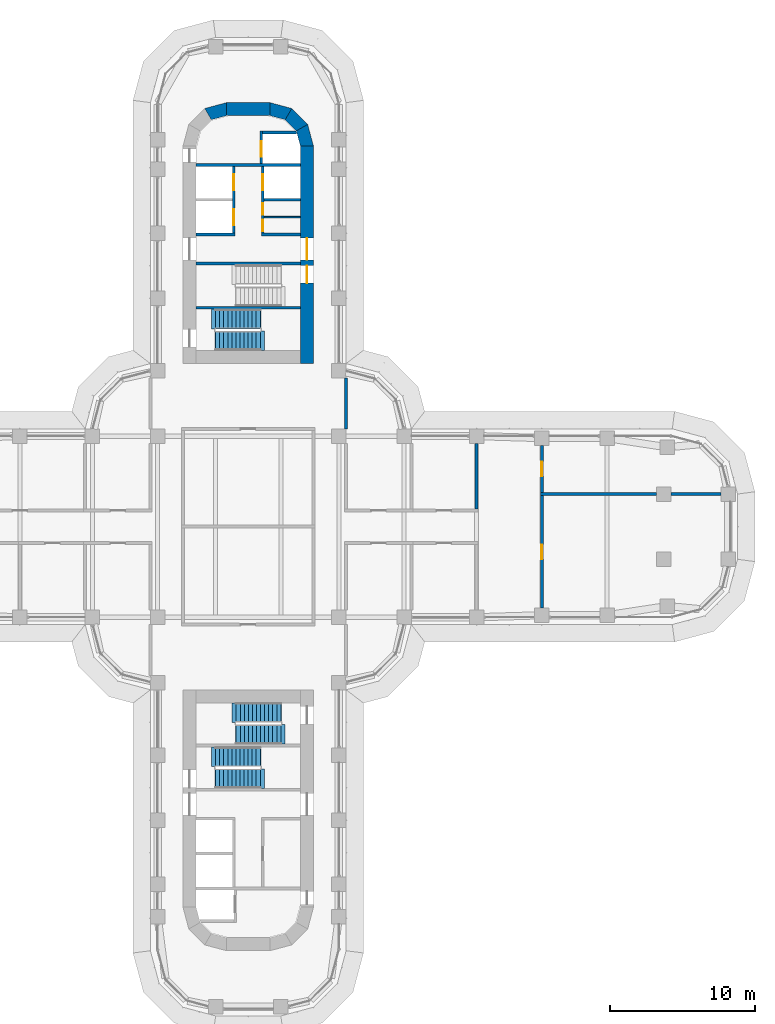
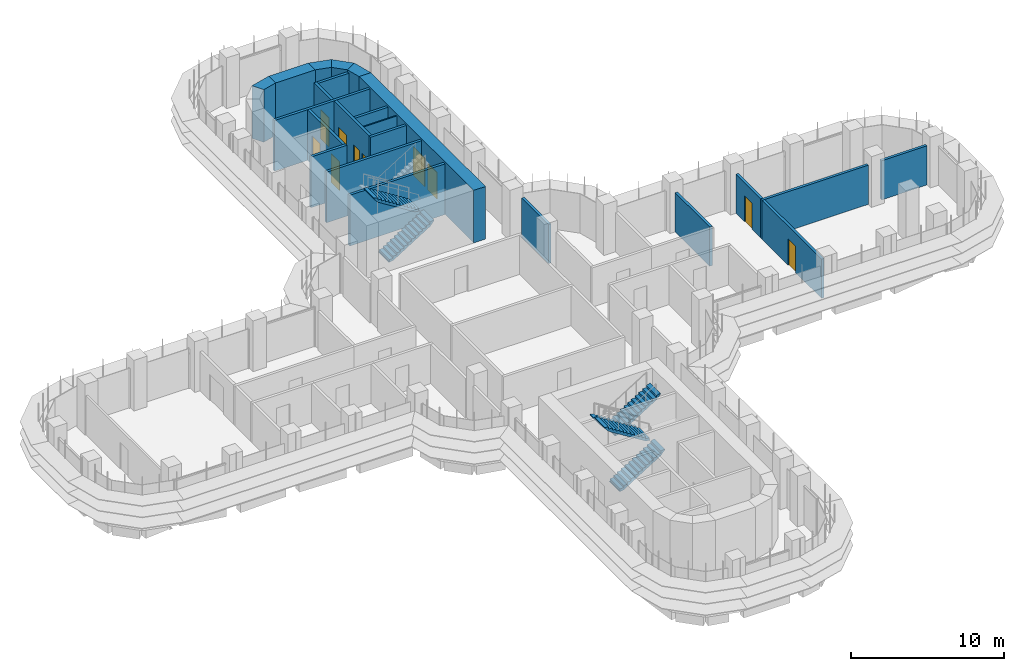
# One storey, part 18 of 23: 23 walls, 10 doors, 6 stair flights, 10 openings, 3 elements without a shape of their own.
"""IFC4 building model written with IfcOpenShell, lengths in metres."""

from ifc_helpers import new_model, si_unit, direction, frame, frame_2d, origin, place, context, subcontext, project, spatial, polyline, rectangle, outline, extrude, material, layer, layer_set, type_object, element, fill, aggregate, save


model = new_model("IFC4")

# Units and contexts
model_context = context("Model", 3, precision=1e-05, world=origin(), true_north=direction((0.0, 1.0)))
body_context = subcontext(model_context, "Body", "Model", "MODEL_VIEW")
ifc_project = project(units=[si_unit("LENGTHUNIT", "METRE"), si_unit("AREAUNIT", "SQUARE_METRE"), si_unit("VOLUMEUNIT", "CUBIC_METRE"), si_unit("PLANEANGLEUNIT", "RADIAN"), si_unit("MASSUNIT", "GRAM", prefix="KILO")], contexts=[model_context])

# Site, building, storey
site_placement = place(None, origin())
site = spatial("IfcSite", under=ifc_project, at=site_placement, CompositionType="ELEMENT")
building_placement = place(site_placement, origin())
building = spatial("IfcBuilding", under=site, at=building_placement, Name="Zarbagh Exchange Tower", CompositionType="ELEMENT")
storey_placement = place(building_placement, frame((0.0, 0.0, 43.800048828125)))
storey = spatial("IfcBuildingStorey", under=building, at=storey_placement, Name="L09", CompositionType="ELEMENT", Elevation=43.800048828125)

# Walls
ifc_material_1 = material(Name="Dense blockwork", Category="masonry")
ifc_layer_1 = layer(ifc_material_1, 0.10009765625)
ifc_layer_set_1 = layer_set([ifc_layer_1], Name="Core partition 100 mm blockwork")
wall_type_1 = type_object("IfcWallType", Name="Core partition 100 mm blockwork", PredefinedType="PARTITIONING", material=ifc_layer_set_1)
wall_1_placement = place(storey_placement, frame((1.10009765625, 21.35009765625, 0.0), z_axis=(0.0, 0.0, 1.0), x_axis=(1.0, 0.0, 0.0)))
element("IfcWall", 1, at=wall_1_placement, inside=storey, type_object=wall_type_1, Name="North core partition wall CUT-E-700", PredefinedType="PARTITIONING", context=body_context, shape_type="SweptSolid", body=[
    extrude(rectangle(XDim=2.5, YDim=0.10009765625, at=frame_2d((1.25, 0.0))), origin(), (0.0, 0.0, 1.0), 4.050048828125),
])
ifc_material_2 = material(Name="Fire-rated plasterboard partition")
ifc_layer_2 = layer(ifc_material_2, 0.199951171875)
ifc_layer_set_2 = layer_set([ifc_layer_2], Name="RATED PARTITION 200")
wall_type_2 = type_object("IfcWallType", Name="RATED PARTITION 200", PredefinedType="PARTITIONING", material=ifc_layer_set_2)
wall_2_placement = place(storey_placement, frame((6.75, 6.75, 0.0), z_axis=(0.0, 0.0, 1.0), x_axis=(0.0, 1.0, 0.0)))
element("IfcWall", 2, at=wall_2_placement, inside=storey, type_object=wall_type_2, Name="Partition W-310", PredefinedType="PARTITIONING", context=body_context, shape_type="SweptSolid", body=[
    extrude(rectangle(XDim=3.5, YDim=0.199951171875, at=frame_2d((1.75, 0.0))), origin(), (0.0, 0.0, 1.0), 3.13037109375),
])
wall_3_placement = place(storey_placement, frame((15.75, 1.22509765625, 0.0), z_axis=(0.0, 0.0, 1.0), x_axis=(0.0, 1.0, 0.0)))
element("IfcWall", 3, at=wall_3_placement, inside=storey, type_object=wall_type_2, Name="Partition W-322", PredefinedType="PARTITIONING", context=body_context, shape_type="SweptSolid", body=[
    extrude(rectangle(XDim=4.52490234375, YDim=0.199951171875, at=frame_2d((2.262451171875, 0.0))), origin(), (0.0, 0.0, 1.0), 3.13037109375),
])

# Wall, opening, door
wall_4_placement = place(storey_placement, frame((20.25, 2.14990234375, 0.0), z_axis=(0.0, 0.0, 1.0), x_axis=(0.0, -1.0, 0.0)))
wall_4 = element("IfcWall", 4, at=wall_4_placement, inside=storey, type_object=wall_type_2, Name="Partition W-324", PredefinedType="PARTITIONING", context=body_context, shape_type="SweptSolid", body=[
    extrude(rectangle(XDim=7.760009765625, YDim=0.199951171875, at=frame_2d((3.8798828125, 0.0))), origin(), (0.0, 0.0, 1.0), 3.13037109375),
])
opening_1_placement = place(wall_4_placement, frame((3.3798828125, 0.0, 0.0)))
opening_1 = element("IfcOpeningElement", 5, at=opening_1_placement, cuts=wall_4, Name="Opening D-307", PredefinedType="OPENING", context=body_context, shape_type="SweptSolid", body=[
    extrude(rectangle(XDim=1.0, YDim=2.10009765625, at=frame_2d((0.5, 1.050048828125))), frame((0.0, 0.10986328125, 0.0), z_axis=(0.0, -1.0, 0.0), x_axis=(1.0, 0.0, 0.0)), (0.0, 0.0, 1.0), 0.219970703125),
])
ifc_material_3 = material(Name="Steel door set", Category="steel")
door_type_1 = type_object("IfcDoorType", Name="FIRE DOOR 1000 X 2100 FD30S", OperationType="NOTDEFINED", PredefinedType="DOOR", material=ifc_material_3)
door_1_placement = place(opening_1_placement, origin())
door_1 = element("IfcDoor", 6, at=door_1_placement, inside=storey, type_object=door_type_1, Name="Door D-307", OperationType="SINGLE_SWING_RIGHT", OverallHeight=2.10009765625, OverallWidth=1.0, PredefinedType="DOOR", context=body_context, shape_type="SweptSolid", body=[
    extrude(rectangle(XDim=1.0, YDim=2.10009765625, at=frame_2d((0.5, 1.050048828125))), frame((0.0, 0.02490234375, 0.0), z_axis=(0.0, -1.0, 0.0), x_axis=(1.0, 0.0, 0.0)), (0.0, 0.0, 1.0), 0.050048828125),
])
fill(opening_1, door_1)

wall_5_placement = place(storey_placement, frame((20.25, 5.610107421875, 0.0), z_axis=(0.0, 0.0, 1.0), x_axis=(0.0, -1.0, 0.0)))
wall_5 = element("IfcWall", 7, at=wall_5_placement, inside=storey, type_object=wall_type_2, Name="Partition W-325", PredefinedType="PARTITIONING", context=body_context, shape_type="SweptSolid", body=[
    extrude(rectangle(XDim=3.260009765625, YDim=0.199951171875, at=frame_2d((1.6298828125, 0.0))), origin(), (0.0, 0.0, 1.0), 3.13037109375),
])
opening_2_placement = place(wall_5_placement, frame((1.1298828125, 0.0, 0.0)))
opening_2 = element("IfcOpeningElement", 8, at=opening_2_placement, cuts=wall_5, Name="Opening D-308", PredefinedType="OPENING", context=body_context, shape_type="SweptSolid", body=[
    extrude(rectangle(XDim=1.0, YDim=2.10009765625, at=frame_2d((0.5, 1.050048828125))), frame((0.0, 0.10986328125, 0.0), z_axis=(0.0, -1.0, 0.0), x_axis=(1.0, 0.0, 0.0)), (0.0, 0.0, 1.0), 0.219970703125),
])
door_2_placement = place(opening_2_placement, origin())
door_2 = element("IfcDoor", 9, at=door_2_placement, inside=storey, type_object=door_type_1, Name="Door D-308", OperationType="SINGLE_SWING_LEFT", OverallHeight=2.10009765625, OverallWidth=1.0, PredefinedType="DOOR", context=body_context, shape_type="SweptSolid", body=[
    extrude(rectangle(XDim=1.0, YDim=2.10009765625, at=frame_2d((0.5, 1.050048828125))), frame((0.0, 0.02490234375, 0.0), z_axis=(0.0, -1.0, 0.0), x_axis=(1.0, 0.0, 0.0)), (0.0, 0.0, 1.0), 0.050048828125),
])
fill(opening_2, door_2)

# Walls
wall_6_placement = place(storey_placement, frame((20.14990234375, 2.25, 0.0), z_axis=(0.0, 0.0, 1.0), x_axis=(1.0, 0.0, 0.0)))
element("IfcWall", 10, at=wall_6_placement, inside=storey, type_object=wall_type_2, Name="Partition W-326", PredefinedType="PARTITIONING", context=body_context, shape_type="SweptSolid", body=[
    extrude(rectangle(XDim=8.02001953125, YDim=0.199951171875, at=frame_2d((4.010009765625, 0.0))), origin(), (0.0, 0.0, 1.0), 3.13037109375),
])
wall_7_placement = place(storey_placement, frame((29.169921875, 2.25, 0.0), z_axis=(0.0, 0.0, 1.0), x_axis=(1.0, 0.0, 0.0)))
element("IfcWall", 11, at=wall_7_placement, inside=storey, type_object=wall_type_2, Name="Partition W-327", PredefinedType="PARTITIONING", context=body_context, shape_type="SweptSolid", body=[
    extrude(rectangle(XDim=3.440185546875, YDim=0.199951171875, at=frame_2d((1.72021484375, 0.0))), origin(), (0.0, 0.0, 1.0), 3.13037109375),
])
ifc_material_4 = material(Name="Concrete C60/75", Category="concrete")
ifc_layer_3 = layer(ifc_material_4, 0.89990234375)
ifc_layer_set_3 = layer_set([ifc_layer_3], Name="RC core corner wall 900 C60/75")
wall_type_3 = type_object("IfcWallType", Name="RC core corner wall 900 C60/75", PredefinedType="SHEAR", material=ifc_layer_set_3)
wall_8_placement = place(storey_placement, origin())
element("IfcWall", 12, at=wall_8_placement, inside=storey, type_object=wall_type_3, Name="CW2 core N corner W", PredefinedType="SHEAR", context=body_context, shape_type="SweptSolid", body=[
    extrude(outline(polyline([(-3.0, 28.84814453125), (-1.5, 29.25), (-1.5, 28.35009765625), (-2.550048828125, 28.068603515625), (-3.0, 28.84814453125)])), origin(), (0.0, 0.0, 1.0), 4.199951171875),
])
wall_9_placement = place(storey_placement, origin())
element("IfcWall", 13, at=wall_9_placement, inside=storey, type_object=wall_type_3, Name="CW2 core N corner E", PredefinedType="SHEAR", context=body_context, shape_type="SweptSolid", body=[
    extrude(outline(polyline([(4.5, 26.25), (4.09814453125, 27.75), (3.318603515625, 27.300048828125), (3.60009765625, 26.25), (4.5, 26.25)])), origin(), (0.0, 0.0, 1.0), 4.199951171875),
])
wall_10_placement = place(storey_placement, origin())
element("IfcWall", 14, at=wall_10_placement, inside=storey, type_object=wall_type_3, Name="CW2 core N corner E", PredefinedType="SHEAR", context=body_context, shape_type="SweptSolid", body=[
    extrude(outline(polyline([(4.09814453125, 27.75), (3.0, 28.84814453125), (2.550048828125, 28.068603515625), (3.318603515625, 27.300048828125), (4.09814453125, 27.75)])), origin(), (0.0, 0.0, 1.0), 4.199951171875),
])
wall_11_placement = place(storey_placement, origin())
element("IfcWall", 15, at=wall_11_placement, inside=storey, type_object=wall_type_3, Name="CW2 core N corner E", PredefinedType="SHEAR", context=body_context, shape_type="SweptSolid", body=[
    extrude(outline(polyline([(3.0, 28.84814453125), (1.5, 29.25), (1.5, 28.35009765625), (2.550048828125, 28.068603515625), (3.0, 28.84814453125)])), origin(), (0.0, 0.0, 1.0), 4.199951171875),
])

# Wall, openings, doors
ifc_layer_4 = layer(ifc_material_4, 0.89990234375)
ifc_layer_set_4 = layer_set([ifc_layer_4], Name="RC core wall 900 C60/75")
wall_type_4 = type_object("IfcWallType", Name="RC core wall 900 C60/75", PredefinedType="SHEAR", material=ifc_layer_set_4)
wall_12_placement = place(storey_placement, frame((4.050048828125, 11.25, 0.0), z_axis=(0.0, 0.0, 1.0), x_axis=(0.0, 1.0, 0.0)))
wall_12 = element("IfcWall", 16, at=wall_12_placement, inside=storey, type_object=wall_type_4, Name="CW1 core N E", PredefinedType="SHEAR", context=body_context, shape_type="SweptSolid", body=[
    extrude(rectangle(XDim=15.0, YDim=0.89990234375, at=frame_2d((7.5, 0.0))), origin(), (0.0, 0.0, 1.0), 4.199951171875),
])
opening_3_placement = place(wall_12_placement, frame((7.14990234375, 0.0, 0.0)))
opening_3 = element("IfcOpeningElement", 17, at=opening_3_placement, cuts=wall_12, Name="Opening CD1-1500", PredefinedType="OPENING", context=body_context, shape_type="SweptSolid", body=[
    extrude(rectangle(XDim=1.5, YDim=2.300048828125, at=frame_2d((0.75, 1.14990234375))), frame((0.0, 0.4599609375, 0.0), z_axis=(0.0, -1.0, 0.0), x_axis=(1.0, 0.0, 0.0)), (0.0, 0.0, 1.0), 0.919921875),
])
opening_4_placement = place(wall_12_placement, frame((5.550048828125, 0.0, 0.0)))
opening_4 = element("IfcOpeningElement", 18, at=opening_4_placement, cuts=wall_12, Name="Opening SD1-1200", PredefinedType="OPENING", context=body_context, shape_type="SweptSolid", body=[
    extrude(rectangle(XDim=1.199951171875, YDim=2.10009765625, at=frame_2d((0.60009765625, 1.050048828125))), frame((0.0, 0.4599609375, 0.0), z_axis=(0.0, -1.0, 0.0), x_axis=(1.0, 0.0, 0.0)), (0.0, 0.0, 1.0), 0.919921875),
])
ifc_material_5 = material(Name="Steel", Category="steel")
door_type_2 = type_object("IfcDoorType", Name="Exit stair door 1200 x 2100", OperationType="NOTDEFINED", PredefinedType="DOOR", material=ifc_material_5)
door_3_placement = place(opening_4_placement, origin())
door_3 = element("IfcDoor", 19, at=door_3_placement, inside=storey, type_object=door_type_2, Name="North core stair door ST1", OperationType="SINGLE_SWING_RIGHT", OverallHeight=2.10009765625, OverallWidth=1.199951171875, PredefinedType="DOOR", context=body_context, shape_type="SweptSolid", body=[
    extrude(rectangle(XDim=1.199951171875, YDim=2.10009765625, at=frame_2d((0.60009765625, 1.050048828125))), frame((0.0, 0.02490234375, 0.0), z_axis=(0.0, -1.0, 0.0), x_axis=(1.0, 0.0, 0.0)), (0.0, 0.0, 1.0), 0.050048828125),
])
fill(opening_4, door_3)
door_type_3 = type_object("IfcDoorType", Name="Lift lobby double door 1500 x 2300", OperationType="NOTDEFINED", PredefinedType="DOOR", material=ifc_material_5)
door_4_placement = place(opening_3_placement, origin())
door_4 = element("IfcDoor", 20, at=door_4_placement, inside=storey, type_object=door_type_3, Name="North core lift lobby door LOBBY-E", OperationType="DOUBLE_DOOR_SINGLE_SWING", OverallHeight=2.300048828125, OverallWidth=1.5, PredefinedType="DOOR", context=body_context, shape_type="SweptSolid", body=[
    extrude(rectangle(XDim=1.5, YDim=2.300048828125, at=frame_2d((0.75, 1.14990234375))), frame((0.0, 0.02490234375, 0.0), z_axis=(0.0, -1.0, 0.0), x_axis=(1.0, 0.0, 0.0)), (0.0, 0.0, 1.0), 0.050048828125),
])
fill(opening_3, door_4)

# Walls
wall_13_placement = place(storey_placement, frame((-1.5, 28.800048828125, 0.0), z_axis=(0.0, 0.0, 1.0), x_axis=(1.0, 0.0, 0.0)))
element("IfcWall", 21, at=wall_13_placement, inside=storey, type_object=wall_type_4, Name="CW1 core N outer end", PredefinedType="SHEAR", context=body_context, shape_type="SweptSolid", body=[
    extrude(rectangle(XDim=3.0, YDim=0.89990234375, at=frame_2d((1.5, 0.0))), origin(), (0.0, 0.0, 1.0), 4.199951171875),
])
ifc_layer_5 = layer(ifc_material_1, 0.199951171875)
ifc_layer_set_5 = layer_set([ifc_layer_5], Name="Shaft wall 200 mm blockwork")
wall_type_5 = type_object("IfcWallType", Name="Shaft wall 200 mm blockwork", PredefinedType="PARTITIONING", material=ifc_layer_set_5)
wall_14_placement = place(storey_placement, frame((-3.60009765625, 20.14990234375, 0.0), z_axis=(0.0, 0.0, 1.0), x_axis=(1.0, 0.0, 0.0)))
element("IfcWall", 22, at=wall_14_placement, inside=storey, type_object=wall_type_5, Name="North core shaft wall AB-W", PredefinedType="PARTITIONING", context=body_context, shape_type="SweptSolid", body=[
    extrude(rectangle(XDim=2.7001953125, YDim=0.199951171875, at=frame_2d((1.35009765625, 0.0))), origin(), (0.0, 0.0, 1.0), 4.050048828125),
])

# Wall, openings, doors
wall_15_placement = place(storey_placement, frame((-1.0, 24.85009765625, 0.0), z_axis=(0.0, 0.0, 1.0), x_axis=(0.0, -1.0, 0.0)))
wall_15 = element("IfcWall", 23, at=wall_15_placement, inside=storey, type_object=wall_type_5, Name="North core shaft wall LW-W", PredefinedType="PARTITIONING", context=body_context, shape_type="SweptSolid", body=[
    extrude(rectangle(XDim=4.60009765625, YDim=0.199951171875, at=frame_2d((2.300048828125, 0.0))), origin(), (0.0, 0.0, 1.0), 4.050048828125),
])
opening_5_placement = place(wall_15_placement, frame((0.550048828125, 0.0, 0.0)))
opening_5 = element("IfcOpeningElement", 24, at=opening_5_placement, cuts=wall_15, Name="Opening LD-1100", PredefinedType="OPENING", context=body_context, shape_type="SweptSolid", body=[
    extrude(rectangle(XDim=1.10009765625, YDim=2.300048828125, at=frame_2d((0.550048828125, 1.14990234375))), frame((0.0, 0.10986328125, 0.0), z_axis=(0.0, -1.0, 0.0), x_axis=(1.0, 0.0, 0.0)), (0.0, 0.0, 1.0), 0.219970703125),
])
opening_6_placement = place(wall_15_placement, frame((2.949951171875, 0.0, 0.0)))
opening_6 = element("IfcOpeningElement", 25, at=opening_6_placement, cuts=wall_15, Name="Opening LD-1100", PredefinedType="OPENING", context=body_context, shape_type="SweptSolid", body=[
    extrude(rectangle(XDim=1.10009765625, YDim=2.300048828125, at=frame_2d((0.550048828125, 1.14990234375))), frame((0.0, 0.10986328125, 0.0), z_axis=(0.0, -1.0, 0.0), x_axis=(1.0, 0.0, 0.0)), (0.0, 0.0, 1.0), 0.219970703125),
])
ifc_material_6 = material(Name="Stainless steel", Category="steel")
door_type_4 = type_object("IfcDoorType", Name="Lift landing door 1100 x 2300", OperationType="NOTDEFINED", PredefinedType="DOOR", material=ifc_material_6)
door_5_placement = place(opening_5_placement, origin())
door_5 = element("IfcDoor", 26, at=door_5_placement, inside=storey, type_object=door_type_4, Name="North core lift landing door LD-P-N1", OperationType="DOUBLE_DOOR_SLIDING", OverallHeight=2.300048828125, OverallWidth=1.10009765625, PredefinedType="DOOR", context=body_context, shape_type="SweptSolid", body=[
    extrude(rectangle(XDim=1.10009765625, YDim=2.300048828125, at=frame_2d((0.550048828125, 1.14990234375))), frame((0.0, 0.02490234375, 0.0), z_axis=(0.0, -1.0, 0.0), x_axis=(1.0, 0.0, 0.0)), (0.0, 0.0, 1.0), 0.050048828125),
])
fill(opening_5, door_5)
door_6_placement = place(opening_6_placement, origin())
door_6 = element("IfcDoor", 27, at=door_6_placement, inside=storey, type_object=door_type_4, Name="North core lift landing door LD-P-N2", OperationType="DOUBLE_DOOR_SLIDING", OverallHeight=2.300048828125, OverallWidth=1.10009765625, PredefinedType="DOOR", context=body_context, shape_type="SweptSolid", body=[
    extrude(rectangle(XDim=1.10009765625, YDim=2.300048828125, at=frame_2d((0.550048828125, 1.14990234375))), frame((0.0, 0.02490234375, 0.0), z_axis=(0.0, -1.0, 0.0), x_axis=(1.0, 0.0, 0.0)), (0.0, 0.0, 1.0), 0.050048828125),
])
fill(opening_6, door_6)

# Wall
wall_16_placement = place(storey_placement, frame((0.89990234375, 20.14990234375, 0.0), z_axis=(0.0, 0.0, 1.0), x_axis=(1.0, 0.0, 0.0)))
element("IfcWall", 28, at=wall_16_placement, inside=storey, type_object=wall_type_5, Name="North core shaft wall AB-E", PredefinedType="PARTITIONING", context=body_context, shape_type="SweptSolid", body=[
    extrude(rectangle(XDim=2.7001953125, YDim=0.199951171875, at=frame_2d((1.35009765625, 0.0))), origin(), (0.0, 0.0, 1.0), 4.050048828125),
])

# Wall, openings, doors
wall_17_placement = place(storey_placement, frame((1.0, 24.85009765625, 0.0), z_axis=(0.0, 0.0, 1.0), x_axis=(0.0, -1.0, 0.0)))
wall_17 = element("IfcWall", 29, at=wall_17_placement, inside=storey, type_object=wall_type_5, Name="North core shaft wall LW-E", PredefinedType="PARTITIONING", context=body_context, shape_type="SweptSolid", body=[
    extrude(rectangle(XDim=4.60009765625, YDim=0.199951171875, at=frame_2d((2.300048828125, 0.0))), origin(), (0.0, 0.0, 1.0), 4.050048828125),
])
opening_7_placement = place(wall_17_placement, frame((0.550048828125, 0.0, 0.0)))
opening_7 = element("IfcOpeningElement", 30, at=opening_7_placement, cuts=wall_17, Name="Opening LD-1100", PredefinedType="OPENING", context=body_context, shape_type="SweptSolid", body=[
    extrude(rectangle(XDim=1.10009765625, YDim=2.300048828125, at=frame_2d((0.550048828125, 1.14990234375))), frame((0.0, 0.10986328125, 0.0), z_axis=(0.0, -1.0, 0.0), x_axis=(1.0, 0.0, 0.0)), (0.0, 0.0, 1.0), 0.219970703125),
])
opening_8_placement = place(wall_17_placement, frame((2.52490234375, 0.0, 0.0)))
opening_8 = element("IfcOpeningElement", 31, at=opening_8_placement, cuts=wall_17, Name="Opening CD3-800", PredefinedType="OPENING", context=body_context, shape_type="SweptSolid", body=[
    extrude(rectangle(XDim=0.800048828125, YDim=2.10009765625, at=frame_2d((0.39990234375, 1.050048828125))), frame((0.0, 0.10986328125, 0.0), z_axis=(0.0, -1.0, 0.0), x_axis=(1.0, 0.0, 0.0)), (0.0, 0.0, 1.0), 0.219970703125),
])
opening_9_placement = place(wall_17_placement, frame((3.675048828125, 0.0, 0.0)))
opening_9 = element("IfcOpeningElement", 32, at=opening_9_placement, cuts=wall_17, Name="Opening CD3-800", PredefinedType="OPENING", context=body_context, shape_type="SweptSolid", body=[
    extrude(rectangle(XDim=0.800048828125, YDim=2.10009765625, at=frame_2d((0.39990234375, 1.050048828125))), frame((0.0, 0.10986328125, 0.0), z_axis=(0.0, -1.0, 0.0), x_axis=(1.0, 0.0, 0.0)), (0.0, 0.0, 1.0), 0.219970703125),
])
door_type_5 = type_object("IfcDoorType", Name="Core room door 800 x 2100", OperationType="NOTDEFINED", PredefinedType="DOOR", material=ifc_material_5)
door_7_placement = place(opening_8_placement, origin())
door_7 = element("IfcDoor", 33, at=door_7_placement, inside=storey, type_object=door_type_5, Name="North core Store door RD-E-0", OperationType="SINGLE_SWING_RIGHT", OverallHeight=2.10009765625, OverallWidth=0.800048828125, PredefinedType="DOOR", context=body_context, shape_type="SweptSolid", body=[
    extrude(rectangle(XDim=0.800048828125, YDim=2.10009765625, at=frame_2d((0.39990234375, 1.050048828125))), frame((0.0, 0.02490234375, 0.0), z_axis=(0.0, -1.0, 0.0), x_axis=(1.0, 0.0, 0.0)), (0.0, 0.0, 1.0), 0.050048828125),
])
fill(opening_8, door_7)
door_8_placement = place(opening_9_placement, origin())
door_8 = element("IfcDoor", 34, at=door_8_placement, inside=storey, type_object=door_type_5, Name="North core IT room door RD-E-1", OperationType="SINGLE_SWING_RIGHT", OverallHeight=2.10009765625, OverallWidth=0.800048828125, PredefinedType="DOOR", context=body_context, shape_type="SweptSolid", body=[
    extrude(rectangle(XDim=0.800048828125, YDim=2.10009765625, at=frame_2d((0.39990234375, 1.050048828125))), frame((0.0, 0.02490234375, 0.0), z_axis=(0.0, -1.0, 0.0), x_axis=(1.0, 0.0, 0.0)), (0.0, 0.0, 1.0), 0.050048828125),
])
fill(opening_9, door_8)
door_9_placement = place(opening_7_placement, origin())
door_9 = element("IfcDoor", 35, at=door_9_placement, inside=storey, type_object=door_type_4, Name="North core lift landing door LD-P-N3", OperationType="DOUBLE_DOOR_SLIDING", OverallHeight=2.300048828125, OverallWidth=1.10009765625, PredefinedType="DOOR", context=body_context, shape_type="SweptSolid", body=[
    extrude(rectangle(XDim=1.10009765625, YDim=2.300048828125, at=frame_2d((0.550048828125, 1.14990234375))), frame((0.0, 0.02490234375, 0.0), z_axis=(0.0, -1.0, 0.0), x_axis=(1.0, 0.0, 0.0)), (0.0, 0.0, 1.0), 0.050048828125),
])
fill(opening_7, door_9)

# Walls
wall_18_placement = place(storey_placement, frame((1.10009765625, 22.550048828125, 0.0), z_axis=(0.0, 0.0, 1.0), x_axis=(1.0, 0.0, 0.0)))
element("IfcWall", 36, at=wall_18_placement, inside=storey, type_object=wall_type_5, Name="North core shaft wall TR-E", PredefinedType="PARTITIONING", context=body_context, shape_type="SweptSolid", body=[
    extrude(rectangle(XDim=2.5, YDim=0.199951171875, at=frame_2d((1.25, 0.0))), origin(), (0.0, 0.0, 1.0), 4.050048828125),
])
ifc_material_7 = material(Name="Concrete C40/50", Category="concrete")
ifc_layer_6 = layer(ifc_material_7, 0.199951171875)
ifc_layer_set_6 = layer_set([ifc_layer_6], Name="Stair enclosure wall 200 mm RC C40/50")
wall_type_6 = type_object("IfcWallType", Name="Stair enclosure wall 200 mm RC C40/50", PredefinedType="SHEAR", material=ifc_layer_set_6)
wall_19_placement = place(storey_placement, frame((-3.60009765625, 24.949951171875, 0.0), z_axis=(0.0, 0.0, 1.0), x_axis=(1.0, 0.0, 0.0)))
element("IfcWall", 37, at=wall_19_placement, inside=storey, type_object=wall_type_6, Name="North core lift shaft wall FFA", PredefinedType="SHEAR", context=body_context, shape_type="SweptSolid", body=[
    extrude(rectangle(XDim=7.2001953125, YDim=0.199951171875, at=frame_2d((3.60009765625, 0.0))), origin(), (0.0, 0.0, 1.0), 4.050048828125),
])

# Wall, opening, door
wall_20_placement = place(storey_placement, frame((0.89990234375, 27.300048828125, 0.0), z_axis=(0.0, 0.0, 1.0), x_axis=(0.0, -1.0, 0.0)))
wall_20 = element("IfcWall", 38, at=wall_20_placement, inside=storey, type_object=wall_type_6, Name="North core lift shaft wall FFL", PredefinedType="SHEAR", context=body_context, shape_type="SweptSolid", body=[
    extrude(rectangle(XDim=2.25, YDim=0.199951171875, at=frame_2d((1.125, 0.0))), origin(), (0.0, 0.0, 1.0), 4.050048828125),
])
opening_10_placement = place(wall_20_placement, frame((0.699951171875, 0.0, 0.0)))
opening_10 = element("IfcOpeningElement", 39, at=opening_10_placement, cuts=wall_20, Name="Opening LD-1100", PredefinedType="OPENING", context=body_context, shape_type="SweptSolid", body=[
    extrude(rectangle(XDim=1.10009765625, YDim=2.300048828125, at=frame_2d((0.550048828125, 1.14990234375))), frame((0.0, 0.10986328125, 0.0), z_axis=(0.0, -1.0, 0.0), x_axis=(1.0, 0.0, 0.0)), (0.0, 0.0, 1.0), 0.219970703125),
])
door_10_placement = place(opening_10_placement, origin())
door_10 = element("IfcDoor", 40, at=door_10_placement, inside=storey, type_object=door_type_4, Name="North core lift landing door LD-F", OperationType="DOUBLE_DOOR_SLIDING", OverallHeight=2.300048828125, OverallWidth=1.10009765625, PredefinedType="DOOR", context=body_context, shape_type="SweptSolid", body=[
    extrude(rectangle(XDim=1.10009765625, YDim=2.300048828125, at=frame_2d((0.550048828125, 1.14990234375))), frame((0.0, 0.02490234375, 0.0), z_axis=(0.0, -1.0, 0.0), x_axis=(1.0, 0.0, 0.0)), (0.0, 0.0, 1.0), 0.050048828125),
])
fill(opening_10, door_10)

# Walls
wall_21_placement = place(storey_placement, origin())
element("IfcWall", 41, at=wall_21_placement, inside=storey, type_object=wall_type_6, Name="North core lift shaft wall FFX", PredefinedType="SHEAR", context=body_context, shape_type="SweptSolid", body=[
    extrude(outline(polyline([(1.0, 27.10009765625), (3.340576171875, 27.10009765625), (3.291259765625, 27.2841796875), (3.275390625, 27.300048828125), (1.0, 27.300048828125), (1.0, 27.10009765625)])), origin(), (0.0, 0.0, 1.0), 4.050048828125),
])
for number, where, z_axis, x_axis, name in (
    (42, (-3.60009765625, 18.14990234375, 0.0), (0.0, 0.0, 1.0), (1.0, 0.0, 0.0), "North core stair wall BS"),
    (43, (-3.60009765625, 15.10009765625, 0.0), (0.0, 0.0, 1.0), (1.0, 0.0, 0.0), "North core stair wall ST12"),
):
    element("IfcWall", number, at=place(storey_placement, frame(where, z_axis=z_axis, x_axis=x_axis)), inside=storey, type_object=wall_type_6, Name=name, PredefinedType="SHEAR", context=body_context, shape_type="SweptSolid", body=[
        extrude(rectangle(XDim=7.2001953125, YDim=0.199951171875, at=frame_2d((3.60009765625, 0.0))), origin(), (0.0, 0.0, 1.0), 4.050048828125),
    ])

# Stair, stair flights
stair_type = type_object("IfcStairType", Name="Exit stair two-flight half-turn", PredefinedType="HALF_TURN_STAIR", material=ifc_material_7)
stair_1_placement = place(storey_placement, origin())
stair_1 = element("IfcStair", 44, at=stair_1_placement, inside=storey, type_object=stair_type, Name="exit stair ST2", PredefinedType="HALF_TURN_STAIR")
stair_flight_type = type_object("IfcStairFlightType", Name="Stair flight 1350 mm", PredefinedType="STRAIGHT", material=ifc_material_7)
stair_flight_1_placement = place(storey_placement, frame((-2.25, 12.824951171875, 0.0), z_axis=(0.0, 0.0, 1.0), x_axis=(1.0, 0.0, 0.0)))
stair_flight_1 = element("IfcStairFlight", 45, at=stair_flight_1_placement, type_object=stair_flight_type, Name="ST2 flight 1", NumberOfRisers=12, NumberOfTreads=11, PredefinedType="STRAIGHT", RiserHeight=0.175, TreadLength=0.28, context=body_context, shape_type="SweptSolid", body=[
    extrude(outline(polyline([(-0.050048828125, -0.050048828125), (-0.050048828125, 0.0), (0.0, 0.0), (0.0, 0.175048828125), (0.280029296875, 0.175048828125), (0.280029296875, 0.35009765625), (0.56005859375, 0.35009765625), (0.56005859375, 0.52490234375), (0.840087890625, 0.52490234375), (0.840087890625, 0.699951171875), (1.1201171875, 0.699951171875), (1.1201171875, 0.875), (1.39990234375, 0.875), (1.39990234375, 1.050048828125), (1.679931640625, 1.050048828125), (1.679931640625, 1.22509765625), (1.9599609375, 1.22509765625), (1.9599609375, 1.39990234375), (2.239990234375, 1.39990234375), (2.239990234375, 1.574951171875), (2.52001953125, 1.574951171875), (2.52001953125, 1.75), (2.800048828125, 1.75), (2.800048828125, 1.925048828125), (3.080078125, 1.925048828125), (3.080078125, 2.10009765625), (3.3798828125, 2.179931640625), (3.3798828125, 2.10009765625), (3.080078125, 1.748291015625), (0.28271484375, 0.0), (-0.050048828125, -0.050048828125)])), frame((0.0, 0.675048828125, 0.0), z_axis=(0.0, -1.0, 0.0), x_axis=(1.0, 0.0, 0.0)), (0.0, 0.0, 1.0), 1.35009765625),
])
stair_flight_2_placement = place(storey_placement, frame((0.830078125, 14.324951171875, 2.099853515625), z_axis=(0.0, 0.0, 1.0), x_axis=(-1.0, 0.0, 0.0)))
stair_flight_2 = element("IfcStairFlight", 46, at=stair_flight_2_placement, type_object=stair_flight_type, Name="ST2 flight 2", NumberOfRisers=12, NumberOfTreads=11, PredefinedType="STRAIGHT", RiserHeight=0.175, TreadLength=0.28, context=body_context, shape_type="SweptSolid", body=[
    extrude(outline(polyline([(-0.050048828125, -0.050048828125), (-0.050048828125, 0.0), (0.0, 0.0), (0.0, 0.175048828125), (0.280029296875, 0.175048828125), (0.280029296875, 0.35009765625), (0.56005859375, 0.35009765625), (0.56005859375, 0.52490234375), (0.840087890625, 0.52490234375), (0.840087890625, 0.699951171875), (1.1201171875, 0.699951171875), (1.1201171875, 0.875), (1.39990234375, 0.875), (1.39990234375, 1.050048828125), (1.679931640625, 1.050048828125), (1.679931640625, 1.22509765625), (1.9599609375, 1.22509765625), (1.9599609375, 1.39990234375), (2.239990234375, 1.39990234375), (2.239990234375, 1.574951171875), (2.52001953125, 1.574951171875), (2.52001953125, 1.75), (2.800048828125, 1.75), (2.800048828125, 1.925048828125), (3.080078125, 1.925048828125), (3.080078125, 2.10009765625), (3.3798828125, 2.179931640625), (3.3798828125, 2.10009765625), (3.080078125, 1.748291015625), (0.28271484375, 0.0), (-0.050048828125, -0.050048828125)])), frame((0.0, 0.675048828125, 0.0), z_axis=(0.0, -1.0, 0.0), x_axis=(1.0, 0.0, 0.0)), (0.0, 0.0, 1.0), 1.35009765625),
])
aggregate(stair_1, [stair_flight_1, stair_flight_2])

stair_2_placement = place(storey_placement, origin())
stair_2 = element("IfcStair", 47, at=stair_2_placement, inside=storey, type_object=stair_type, Name="exit stair ST3", PredefinedType="HALF_TURN_STAIR")
stair_flight_3_placement = place(storey_placement, frame((-2.25, -17.375, 0.0), z_axis=(0.0, 0.0, 1.0), x_axis=(1.0, 0.0, 0.0)))
stair_flight_3 = element("IfcStairFlight", 48, at=stair_flight_3_placement, type_object=stair_flight_type, Name="ST3 flight 1", NumberOfRisers=12, NumberOfTreads=11, PredefinedType="STRAIGHT", RiserHeight=0.175, TreadLength=0.28, context=body_context, shape_type="SweptSolid", body=[
    extrude(outline(polyline([(-0.050048828125, -0.050048828125), (-0.050048828125, 0.0), (0.0, 0.0), (0.0, 0.175048828125), (0.280029296875, 0.175048828125), (0.280029296875, 0.35009765625), (0.56005859375, 0.35009765625), (0.56005859375, 0.52490234375), (0.840087890625, 0.52490234375), (0.840087890625, 0.699951171875), (1.1201171875, 0.699951171875), (1.1201171875, 0.875), (1.39990234375, 0.875), (1.39990234375, 1.050048828125), (1.679931640625, 1.050048828125), (1.679931640625, 1.22509765625), (1.9599609375, 1.22509765625), (1.9599609375, 1.39990234375), (2.239990234375, 1.39990234375), (2.239990234375, 1.574951171875), (2.52001953125, 1.574951171875), (2.52001953125, 1.75), (2.800048828125, 1.75), (2.800048828125, 1.925048828125), (3.080078125, 1.925048828125), (3.080078125, 2.10009765625), (3.3798828125, 2.179931640625), (3.3798828125, 2.10009765625), (3.080078125, 1.748291015625), (0.28271484375, 0.0), (-0.050048828125, -0.050048828125)])), frame((0.0, 0.675048828125, 0.0), z_axis=(0.0, -1.0, 0.0), x_axis=(1.0, 0.0, 0.0)), (0.0, 0.0, 1.0), 1.35009765625),
])
stair_flight_4_placement = place(storey_placement, frame((0.830078125, -15.875, 2.099853515625), z_axis=(0.0, 0.0, 1.0), x_axis=(-1.0, 0.0, 0.0)))
stair_flight_4 = element("IfcStairFlight", 49, at=stair_flight_4_placement, type_object=stair_flight_type, Name="ST3 flight 2", NumberOfRisers=12, NumberOfTreads=11, PredefinedType="STRAIGHT", RiserHeight=0.175, TreadLength=0.28, context=body_context, shape_type="SweptSolid", body=[
    extrude(outline(polyline([(-0.050048828125, -0.050048828125), (-0.050048828125, 0.0), (0.0, 0.0), (0.0, 0.175048828125), (0.280029296875, 0.175048828125), (0.280029296875, 0.35009765625), (0.56005859375, 0.35009765625), (0.56005859375, 0.52490234375), (0.840087890625, 0.52490234375), (0.840087890625, 0.699951171875), (1.1201171875, 0.699951171875), (1.1201171875, 0.875), (1.39990234375, 0.875), (1.39990234375, 1.050048828125), (1.679931640625, 1.050048828125), (1.679931640625, 1.22509765625), (1.9599609375, 1.22509765625), (1.9599609375, 1.39990234375), (2.239990234375, 1.39990234375), (2.239990234375, 1.574951171875), (2.52001953125, 1.574951171875), (2.52001953125, 1.75), (2.800048828125, 1.75), (2.800048828125, 1.925048828125), (3.080078125, 1.925048828125), (3.080078125, 2.10009765625), (3.3798828125, 2.179931640625), (3.3798828125, 2.10009765625), (3.080078125, 1.748291015625), (0.28271484375, 0.0), (-0.050048828125, -0.050048828125)])), frame((0.0, 0.675048828125, 0.0), z_axis=(0.0, -1.0, 0.0), x_axis=(1.0, 0.0, 0.0)), (0.0, 0.0, 1.0), 1.35009765625),
])
aggregate(stair_2, [stair_flight_3, stair_flight_4])

stair_3_placement = place(storey_placement, origin())
stair_3 = element("IfcStair", 50, at=stair_3_placement, inside=storey, type_object=stair_type, Name="exit stair ST4", PredefinedType="HALF_TURN_STAIR")
stair_flight_5_placement = place(storey_placement, frame((2.25, -12.824951171875, 0.0), z_axis=(0.0, 0.0, 1.0), x_axis=(-1.0, 0.0, 0.0)))
stair_flight_5 = element("IfcStairFlight", 51, at=stair_flight_5_placement, type_object=stair_flight_type, Name="ST4 flight 1", NumberOfRisers=12, NumberOfTreads=11, PredefinedType="STRAIGHT", RiserHeight=0.175, TreadLength=0.28, context=body_context, shape_type="SweptSolid", body=[
    extrude(outline(polyline([(-0.050048828125, -0.050048828125), (-0.050048828125, 0.0), (0.0, 0.0), (0.0, 0.175048828125), (0.280029296875, 0.175048828125), (0.280029296875, 0.35009765625), (0.56005859375, 0.35009765625), (0.56005859375, 0.52490234375), (0.840087890625, 0.52490234375), (0.840087890625, 0.699951171875), (1.1201171875, 0.699951171875), (1.1201171875, 0.875), (1.39990234375, 0.875), (1.39990234375, 1.050048828125), (1.679931640625, 1.050048828125), (1.679931640625, 1.22509765625), (1.9599609375, 1.22509765625), (1.9599609375, 1.39990234375), (2.239990234375, 1.39990234375), (2.239990234375, 1.574951171875), (2.52001953125, 1.574951171875), (2.52001953125, 1.75), (2.800048828125, 1.75), (2.800048828125, 1.925048828125), (3.080078125, 1.925048828125), (3.080078125, 2.10009765625), (3.3798828125, 2.179931640625), (3.3798828125, 2.10009765625), (3.080078125, 1.748291015625), (0.28271484375, 0.0), (-0.050048828125, -0.050048828125)])), frame((0.0, 0.675048828125, 0.0), z_axis=(0.0, -1.0, 0.0), x_axis=(1.0, 0.0, 0.0)), (0.0, 0.0, 1.0), 1.35009765625),
])
stair_flight_6_placement = place(storey_placement, frame((-0.830078125, -14.324951171875, 2.099853515625), z_axis=(0.0, 0.0, 1.0), x_axis=(1.0, 0.0, 0.0)))
stair_flight_6 = element("IfcStairFlight", 52, at=stair_flight_6_placement, type_object=stair_flight_type, Name="ST4 flight 2", NumberOfRisers=12, NumberOfTreads=11, PredefinedType="STRAIGHT", RiserHeight=0.175, TreadLength=0.28, context=body_context, shape_type="SweptSolid", body=[
    extrude(outline(polyline([(-0.050048828125, -0.050048828125), (-0.050048828125, 0.0), (0.0, 0.0), (0.0, 0.175048828125), (0.280029296875, 0.175048828125), (0.280029296875, 0.35009765625), (0.56005859375, 0.35009765625), (0.56005859375, 0.52490234375), (0.840087890625, 0.52490234375), (0.840087890625, 0.699951171875), (1.1201171875, 0.699951171875), (1.1201171875, 0.875), (1.39990234375, 0.875), (1.39990234375, 1.050048828125), (1.679931640625, 1.050048828125), (1.679931640625, 1.22509765625), (1.9599609375, 1.22509765625), (1.9599609375, 1.39990234375), (2.239990234375, 1.39990234375), (2.239990234375, 1.574951171875), (2.52001953125, 1.574951171875), (2.52001953125, 1.75), (2.800048828125, 1.75), (2.800048828125, 1.925048828125), (3.080078125, 1.925048828125), (3.080078125, 2.10009765625), (3.3798828125, 2.179931640625), (3.3798828125, 2.10009765625), (3.080078125, 1.748291015625), (0.28271484375, 0.0), (-0.050048828125, -0.050048828125)])), frame((0.0, 0.675048828125, 0.0), z_axis=(0.0, -1.0, 0.0), x_axis=(1.0, 0.0, 0.0)), (0.0, 0.0, 1.0), 1.35009765625),
])
aggregate(stair_3, [stair_flight_5, stair_flight_6])

save(model, "model.ifc")
